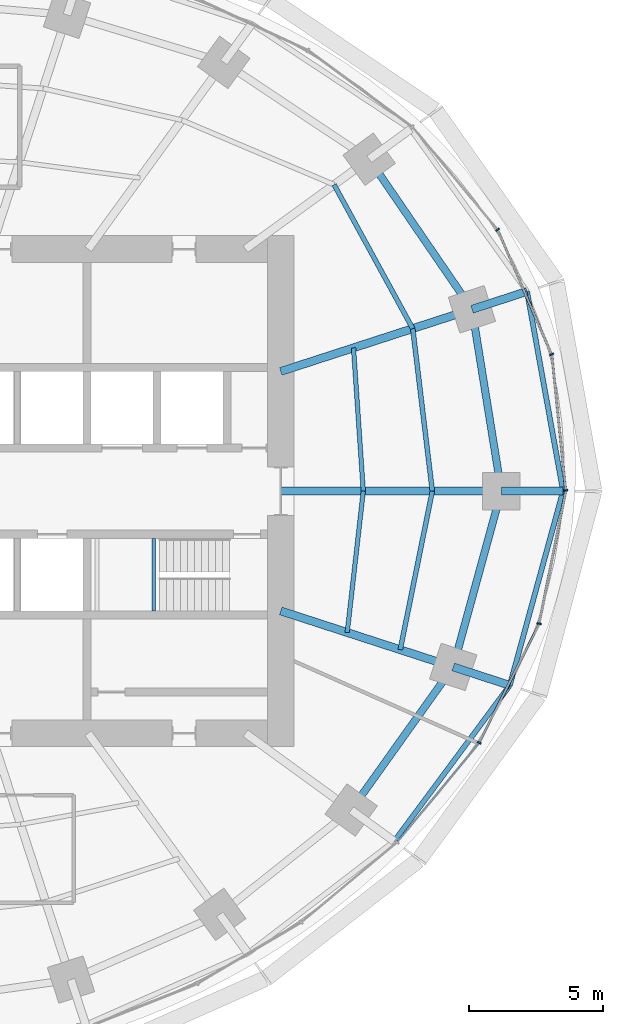
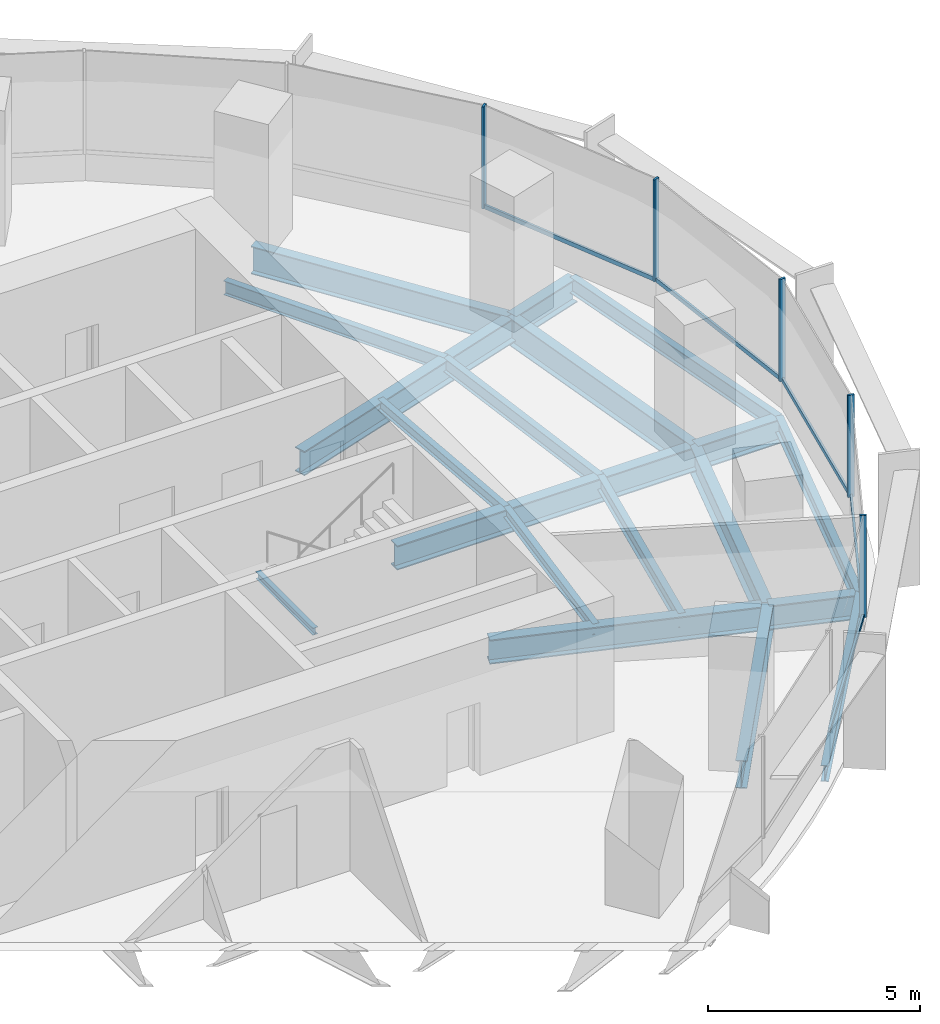
# One storey, part 6 of 14: 19 beams, 10 members, 2 elements without a shape of their own.
"""IFC4 building model written with IfcOpenShell, lengths in metres."""

from ifc_helpers import new_model, si_unit, direction, frame, origin, origin_2d, place, context, subcontext, project, spatial, rectangle, i_section, extrude, material, material_profile, profile_set, type_object, element, aggregate, save


model = new_model("IFC4")

# Units and contexts
model_context = context("Model", 3, precision=1e-05, world=origin(), true_north=direction((0.0, 1.0)))
body_context = subcontext(model_context, "Body", "Model", "MODEL_VIEW")
ifc_project = project(units=[si_unit("LENGTHUNIT", "METRE"), si_unit("AREAUNIT", "SQUARE_METRE"), si_unit("VOLUMEUNIT", "CUBIC_METRE"), si_unit("PLANEANGLEUNIT", "RADIAN"), si_unit("MASSUNIT", "GRAM", prefix="KILO")], contexts=[model_context])

# Site, building, storey
site_placement = place(None, origin())
site = spatial("IfcSite", under=ifc_project, at=site_placement, CompositionType="ELEMENT")
building_placement = place(site_placement, origin())
building = spatial("IfcBuilding", under=site, at=building_placement, Name="Marramba Exchange Tower", CompositionType="ELEMENT")
storey_placement = place(building_placement, frame((0.0, 0.0, 215.0)))
storey = spatial("IfcBuildingStorey", under=building, at=storey_placement, Name="L52", CompositionType="ELEMENT", Elevation=215.0)

# Beams
ifc_material_1 = material(Name="Steel AS/NZS 3679.2 grade 300", Category="steel")
ifc_material_profile_1 = material_profile(ifc_material_1, i_section(OverallWidth=0.300048828125, OverallDepth=0.699951171875, WebThickness=0.010009765625, FlangeThickness=0.031982421875, at=origin_2d()), Name="700WB173")
ifc_profile_set_1 = profile_set([ifc_material_profile_1], Name="Steel AS/NZS 3679.2 grade 300")
beam_type_1 = type_object("IfcBeamType", Name="Cantilever girder 700WB173", PredefinedType="BEAM", material=ifc_profile_set_1)
beam_1_placement = place(storey_placement, frame((21.89990234375, 0.0, -0.510009765625), z_axis=(1.0, 0.0, 0.0), x_axis=(0.0, 1.0, 0.0)))
element("IfcBeam", 1, at=beam_1_placement, inside=storey, type_object=beam_type_1, Name="Cantilever girder L52 TC01", PredefinedType="BEAM", context=body_context, shape_type="SweptSolid", body=[
    extrude(i_section(OverallWidth=0.300048828125, OverallDepth=0.699951171875, WebThickness=0.010009765625, FlangeThickness=0.031982421875, at=origin_2d()), origin(), (0.0, 0.0, 1.0), 2.294189453125),
])
beam_2_placement = place(storey_placement, frame((20.808349609375, 6.760986328125, -0.510009765625), z_axis=(0.951051587859, 0.309032162129, 0.0), x_axis=(-0.309032162129, 0.951051587859, 0.0)))
element("IfcBeam", 2, at=beam_2_placement, inside=storey, type_object=beam_type_1, Name="Cantilever girder L52 TC02", PredefinedType="BEAM", context=body_context, shape_type="SweptSolid", body=[
    extrude(i_section(OverallWidth=0.300048828125, OverallDepth=0.699951171875, WebThickness=0.010009765625, FlangeThickness=0.031982421875, at=origin_2d()), origin(), (0.0, 0.0, 1.0), 2.150390625),
])
beam_3_placement = place(storey_placement, frame((20.109375, -6.533935546875, -0.510009765625), z_axis=(0.951050283347, -0.309036176758, 0.0), x_axis=(0.309036176758, 0.951050283347, 0.0)))
element("IfcBeam", 3, at=beam_3_placement, inside=storey, type_object=beam_type_1, Name="Cantilever girder L52 TC20", PredefinedType="BEAM", context=body_context, shape_type="SweptSolid", body=[
    extrude(i_section(OverallWidth=0.300048828125, OverallDepth=0.699951171875, WebThickness=0.010009765625, FlangeThickness=0.031982421875, at=origin_2d()), origin(), (0.0, 0.0, 1.0), 2.212890625),
])
ifc_material_2 = material(Name="Steel AS/NZS 3679.1 grade 300", Category="steel")
ifc_material_profile_2 = material_profile(ifc_material_2, i_section(OverallWidth=0.166015625, OverallDepth=0.306884765625, WebThickness=0.006591796875, FlangeThickness=0.01171875, FilletRadius=0.011474609375, at=origin_2d()), Name="310UB46.2")
ifc_profile_set_2 = profile_set([ifc_material_profile_2], Name="Steel AS/NZS 3679.1 grade 300")
beam_type_2 = type_object("IfcBeamType", Name="Floor joist 310UB46.2", PredefinedType="JOIST", material=ifc_profile_set_2)
beam_4_placement = place(storey_placement, frame((16.7666015625, 0.0, -0.3134765625), z_axis=(-0.068096259546, 0.99767875563, 0.0), x_axis=(-0.99767875563, -0.068096259546, 0.0)))
element("IfcBeam", 4, at=beam_4_placement, inside=storey, type_object=beam_type_2, Name="Joist L52 bay 01 row 1", PredefinedType="JOIST", context=body_context, shape_type="SweptSolid", body=[
    extrude(i_section(OverallWidth=0.166015625, OverallDepth=0.306884765625, WebThickness=0.006591796875, FlangeThickness=0.01171875, FilletRadius=0.011474609375, at=origin_2d()), origin(), (0.0, 0.0, 1.0), 5.342041015625),
])
beam_5_placement = place(storey_placement, frame((16.169677734375, -5.25390625, -0.3134765625), z_axis=(0.112888968594, 0.993607609054, 0.0), x_axis=(-0.993607609054, 0.112888968594, 0.0)))
element("IfcBeam", 5, at=beam_5_placement, inside=storey, type_object=beam_type_2, Name="Joist L52 bay 20 row 1", PredefinedType="JOIST", context=body_context, shape_type="SweptSolid", body=[
    extrude(i_section(OverallWidth=0.166015625, OverallDepth=0.306884765625, WebThickness=0.006591796875, FlangeThickness=0.01171875, FilletRadius=0.011474609375, at=origin_2d()), origin(), (0.0, 0.0, 1.0), 5.28759765625),
])
ifc_material_profile_3 = material_profile(ifc_material_2, i_section(OverallWidth=0.177978515625, OverallDepth=0.406005859375, WebThickness=0.0078125, FlangeThickness=0.0126953125, FilletRadius=0.011474609375, at=origin_2d()), Name="410UB59.7")
ifc_profile_set_3 = profile_set([ifc_material_profile_3], Name="Steel AS/NZS 3679.1 grade 300")
beam_type_3 = type_object("IfcBeamType", Name="Floor joist 410UB59.7", PredefinedType="JOIST", material=ifc_profile_set_3)
beam_6_placement = place(storey_placement, frame((19.333251953125, 0.0, -0.363037109375), z_axis=(-0.119523078538, 0.992831422597, 0.0), x_axis=(-0.992831422597, -0.119523078538, 0.0)))
element("IfcBeam", 6, at=beam_6_placement, inside=storey, type_object=beam_type_3, Name="Joist L52 bay 01 row 2", PredefinedType="JOIST", context=body_context, shape_type="SweptSolid", body=[
    extrude(i_section(OverallWidth=0.177978515625, OverallDepth=0.406005859375, WebThickness=0.0078125, FlangeThickness=0.0126953125, FilletRadius=0.011474609375, at=origin_2d()), origin(), (0.0, 0.0, 1.0), 6.089111328125),
])
beam_7_placement = place(storey_placement, frame((18.60546875, 6.04541015625, -0.363037109375), z_axis=(-0.479584443791, 0.877495732909, 0.0), x_axis=(-0.877495732909, -0.479584443791, 0.0)))
element("IfcBeam", 7, at=beam_7_placement, inside=storey, type_object=beam_type_3, Name="Joist L52 bay 02 row 2", PredefinedType="JOIST", context=body_context, shape_type="SweptSolid", body=[
    extrude(i_section(OverallWidth=0.177978515625, OverallDepth=0.406005859375, WebThickness=0.0078125, FlangeThickness=0.0126953125, FilletRadius=0.011474609375, at=origin_2d()), origin(), (0.0, 0.0, 1.0), 6.094970703125),
])
beam_8_placement = place(storey_placement, frame((18.1396484375, -5.893798828125, -0.363037109375), z_axis=(0.198489047047, 0.980103105904, 0.0), x_axis=(-0.980103105904, 0.198489047047, 0.0)))
element("IfcBeam", 8, at=beam_8_placement, inside=storey, type_object=beam_type_3, Name="Joist L52 bay 20 row 2", PredefinedType="JOIST", context=body_context, shape_type="SweptSolid", body=[
    extrude(i_section(OverallWidth=0.177978515625, OverallDepth=0.406005859375, WebThickness=0.0078125, FlangeThickness=0.0126953125, FilletRadius=0.011474609375, at=origin_2d()), origin(), (0.0, 0.0, 1.0), 6.013427734375),
])

# Curtain wall, members
ifc_material_3 = material(Name="Aluminium framing, bronze anodised", Category="aluminium")
curtain_wall_type = type_object("IfcCurtainWallType", Name="Office ribbon curtain wall", PredefinedType="USERDEFINED", material=ifc_material_3)
curtain_wall_1_placement = place(storey_placement, origin())
curtain_wall_1 = element("IfcCurtainWall", 9, at=curtain_wall_1_placement, inside=storey, type_object=curtain_wall_type, Name="Curtain wall CW4 L52 F01-F05", ObjectType="RIBBON CURTAIN WALL", PredefinedType="USERDEFINED")
ifc_material_4 = material(Name="Aluminium mullion, bronze anodised", Category="aluminium")
ifc_material_profile_4 = material_profile(ifc_material_4, rectangle(XDim=0.159912109375, YDim=0.06005859375, at=origin_2d()), Name="CW4 mullion 60x160")
ifc_profile_set_4 = profile_set([ifc_material_profile_4], Name="Aluminium mullion, bronze anodised")
member_type_1 = type_object("IfcMemberType", Name="Office ribbon curtain wall mullion", PredefinedType="MULLION", material=ifc_profile_set_4)
member_1_placement = place(storey_placement, frame((24.291015625, 0.02978515625, 0.800048828125), z_axis=(0.0, 0.0, 1.0), x_axis=(-0.994843446001, -0.101422472607, 0.0)))
member_1 = element("IfcMember", 10, at=member_1_placement, type_object=member_type_1, Name="CW4 mullion 1", PredefinedType="MULLION", context=body_context, shape_type="SweptSolid", body=[
    extrude(rectangle(XDim=0.159912109375, YDim=0.06005859375, at=origin_2d()), origin(), (0.0, 0.0, 1.0), 2.93994140625),
])
member_2_placement = place(storey_placement, frame((23.766845703125, 5.081787109375, 0.800048828125), z_axis=(0.0, 0.0, 1.0), x_axis=(-0.918167104527, -0.396193346946, 0.0)))
member_2 = element("IfcMember", 11, at=member_2_placement, type_object=member_type_1, Name="CW4 mullion 1", PredefinedType="MULLION", context=body_context, shape_type="SweptSolid", body=[
    extrude(rectangle(XDim=0.159912109375, YDim=0.06005859375, at=origin_2d()), origin(), (0.0, 0.0, 1.0), 2.93994140625),
])
member_3_placement = place(storey_placement, frame((21.757080078125, 9.718505859375, 0.800048828125), z_axis=(0.0, 0.0, 1.0), x_axis=(-0.770574258342, -0.637350227411, 0.0)))
member_3 = element("IfcMember", 12, at=member_3_placement, type_object=member_type_1, Name="CW4 mullion 1", PredefinedType="MULLION", context=body_context, shape_type="SweptSolid", body=[
    extrude(rectangle(XDim=0.159912109375, YDim=0.06005859375, at=origin_2d()), origin(), (0.0, 0.0, 1.0), 2.93994140625),
])

curtain_wall_2_placement = place(storey_placement, origin())
curtain_wall_2 = element("IfcCurtainWall", 13, at=curtain_wall_2_placement, inside=storey, type_object=curtain_wall_type, Name="Curtain wall CW4 L52 F26-F30", ObjectType="RIBBON CURTAIN WALL", PredefinedType="USERDEFINED")
member_4_placement = place(storey_placement, frame((21.07568359375, -9.3505859375, 0.800048828125), z_axis=(0.0, 0.0, 1.0), x_axis=(-0.892689067591, 0.450673083956, 0.0)))
member_4 = element("IfcMember", 14, at=member_4_placement, type_object=member_type_1, Name="CW4 mullion 1", PredefinedType="MULLION", context=body_context, shape_type="SweptSolid", body=[
    extrude(rectangle(XDim=0.159912109375, YDim=0.06005859375, at=origin_2d()), origin(), (0.0, 0.0, 1.0), 2.93994140625),
])
member_5_placement = place(storey_placement, frame((23.30224609375, -4.92236328125, 0.800048828125), z_axis=(0.0, 0.0, 1.0), x_axis=(-0.980303812539, 0.197495405316, 0.0)))
member_5 = element("IfcMember", 15, at=member_5_placement, type_object=member_type_1, Name="CW4 mullion 1", PredefinedType="MULLION", context=body_context, shape_type="SweptSolid", body=[
    extrude(rectangle(XDim=0.159912109375, YDim=0.06005859375, at=origin_2d()), origin(), (0.0, 0.0, 1.0), 2.93994140625),
])

# Member
ifc_material_5 = material(Name="Aluminium transom, bronze anodised", Category="aluminium")
ifc_material_profile_5 = material_profile(ifc_material_5, rectangle(XDim=0.06005859375, YDim=0.1201171875, at=origin_2d()), Name="CW4 transom 60x120")
ifc_profile_set_5 = profile_set([ifc_material_profile_5], Name="Aluminium transom, bronze anodised")
member_type_2 = type_object("IfcMemberType", Name="Office ribbon curtain wall transom", PredefinedType="USERDEFINED", material=ifc_profile_set_5)
member_6_placement = place(storey_placement, frame((24.287841796875, 0.0595703125, 0.830078125), z_axis=(-0.101386007846, 0.994847162841, 0.0), x_axis=(-0.994847162841, -0.101386007846, 0.0)))
member_6 = element("IfcMember", 16, at=member_6_placement, type_object=member_type_2, Name="CW4 sill transom", ObjectType="TRANSOM", PredefinedType="USERDEFINED", context=body_context, shape_type="SweptSolid", body=[
    extrude(rectangle(XDim=0.06005859375, YDim=0.1201171875, at=origin_2d()), origin(), (0.0, 0.0, 1.0), 5.020751953125),
])

member_7_placement = place(storey_placement, frame((23.7548828125, 5.109375, 0.830078125), z_axis=(-0.396177573744, 0.918173910576, 0.0), x_axis=(-0.918173910576, -0.396177573744, 0.0)))
member_7 = element("IfcMember", 17, at=member_7_placement, type_object=member_type_2, Name="CW4 sill transom", ObjectType="TRANSOM", PredefinedType="USERDEFINED", context=body_context, shape_type="SweptSolid", body=[
    extrude(rectangle(XDim=0.06005859375, YDim=0.1201171875, at=origin_2d()), origin(), (0.0, 0.0, 1.0), 4.99462890625),
])

aggregate(curtain_wall_1, [member_1, member_6, member_2, member_7, member_3])

member_8_placement = place(storey_placement, frame((18.03515625, -13.029296875, 0.830078125), z_axis=(0.638146908901, 0.76991462037, 0.0), x_axis=(-0.76991462037, 0.638146908901, 0.0)))
member_8 = element("IfcMember", 18, at=member_8_placement, type_object=member_type_2, Name="CW4 sill transom", ObjectType="TRANSOM", PredefinedType="USERDEFINED", context=body_context, shape_type="SweptSolid", body=[
    extrude(rectangle(XDim=0.06005859375, YDim=0.1201171875, at=origin_2d()), origin(), (0.0, 0.0, 1.0), 4.7431640625),
])

member_9_placement = place(storey_placement, frame((21.089111328125, -9.323974609375, 0.830078125), z_axis=(0.450679681949, 0.892685736572, 0.0), x_axis=(-0.892685736572, 0.450679681949, 0.0)))
member_9 = element("IfcMember", 19, at=member_9_placement, type_object=member_type_2, Name="CW4 sill transom", ObjectType="TRANSOM", PredefinedType="USERDEFINED", context=body_context, shape_type="SweptSolid", body=[
    extrude(rectangle(XDim=0.06005859375, YDim=0.1201171875, at=origin_2d()), origin(), (0.0, 0.0, 1.0), 4.897705078125),
])

member_10_placement = place(storey_placement, frame((23.308349609375, -4.89306640625, 0.830078125), z_axis=(0.197461053167, 0.980310732616, 0.0), x_axis=(-0.980310732616, 0.197461053167, 0.0)))
member_10 = element("IfcMember", 20, at=member_10_placement, type_object=member_type_2, Name="CW4 sill transom", ObjectType="TRANSOM", PredefinedType="USERDEFINED", context=body_context, shape_type="SweptSolid", body=[
    extrude(rectangle(XDim=0.06005859375, YDim=0.1201171875, at=origin_2d()), origin(), (0.0, 0.0, 1.0), 4.991455078125),
])

aggregate(curtain_wall_2, [member_8, member_4, member_9, member_5, member_10])

# Beams
ifc_material_profile_6 = material_profile(ifc_material_1, i_section(OverallWidth=0.300048828125, OverallDepth=0.699951171875, WebThickness=0.010009765625, FlangeThickness=0.031982421875, at=origin_2d()), Name="700WB173")
ifc_profile_set_6 = profile_set([ifc_material_profile_6], Name="Steel AS/NZS 3679.2 grade 300")
beam_type_4 = type_object("IfcBeamType", Name="Radial girder 700WB173", PredefinedType="BEAM", material=ifc_profile_set_6)
beam_9_placement = place(storey_placement, frame((13.699951171875, 0.0, -0.510009765625), z_axis=(1.0, 0.0, 0.0), x_axis=(0.0, 1.0, 0.0)))
element("IfcBeam", 21, at=beam_9_placement, inside=storey, type_object=beam_type_4, Name="Radial girder L52 TC01", PredefinedType="BEAM", context=body_context, shape_type="SweptSolid", body=[
    extrude(i_section(OverallWidth=0.300048828125, OverallDepth=0.699951171875, WebThickness=0.010009765625, FlangeThickness=0.031982421875, at=origin_2d()), origin(), (0.0, 0.0, 1.0), 8.199951171875),
])
beam_10_placement = place(storey_placement, frame((13.699951171875, 4.451416015625, -0.510009765625), z_axis=(0.951059990189, 0.309006302624, 0.0), x_axis=(-0.309006302624, 0.951059990189, 0.0)))
element("IfcBeam", 22, at=beam_10_placement, inside=storey, type_object=beam_type_4, Name="Radial girder L52 TC02", PredefinedType="BEAM", context=body_context, shape_type="SweptSolid", body=[
    extrude(i_section(OverallWidth=0.300048828125, OverallDepth=0.699951171875, WebThickness=0.010009765625, FlangeThickness=0.031982421875, at=origin_2d()), origin(), (0.0, 0.0, 1.0), 7.47412109375),
])
beam_11_placement = place(storey_placement, frame((13.699951171875, -4.451416015625, -0.510009765625), z_axis=(0.951057759669, -0.309013167637, 0.0), x_axis=(0.309013167637, 0.951057759669, 0.0)))
element("IfcBeam", 23, at=beam_11_placement, inside=storey, type_object=beam_type_4, Name="Radial girder L52 TC20", PredefinedType="BEAM", context=body_context, shape_type="SweptSolid", body=[
    extrude(i_section(OverallWidth=0.300048828125, OverallDepth=0.699951171875, WebThickness=0.010009765625, FlangeThickness=0.031982421875, at=origin_2d()), origin(), (0.0, 0.0, 1.0), 6.7392578125),
])
ifc_material_profile_7 = material_profile(ifc_material_1, i_section(OverallWidth=0.27490234375, OverallDepth=0.800048828125, WebThickness=0.010009765625, FlangeThickness=0.02490234375, at=origin_2d()), Name="800WB168")
ifc_profile_set_7 = profile_set([ifc_material_profile_7], Name="Steel AS/NZS 3679.2 grade 300")
beam_type_5 = type_object("IfcBeamType", Name="Ring beam 800WB168", PredefinedType="SPANDREL", material=ifc_profile_set_7)
beam_12_placement = place(storey_placement, frame((21.89990234375, 0.0, -0.56005859375), z_axis=(-0.159384865399, 0.987216523708, 0.0), x_axis=(-0.987216523708, -0.159384865399, 0.0)))
element("IfcBeam", 24, at=beam_12_placement, inside=storey, type_object=beam_type_5, Name="Ring beam L52 TC01-TC02", PredefinedType="SPANDREL", context=body_context, shape_type="SweptSolid", body=[
    extrude(i_section(OverallWidth=0.27490234375, OverallDepth=0.800048828125, WebThickness=0.010009765625, FlangeThickness=0.02490234375, at=origin_2d()), origin(), (0.0, 0.0, 1.0), 6.8486328125),
])
beam_13_placement = place(storey_placement, frame((20.808349609375, 6.760986328125, -0.56005859375), z_axis=(-0.56516002054, 0.824981303535, 0.0), x_axis=(-0.824981303535, -0.56516002054, 0.0)))
element("IfcBeam", 25, at=beam_13_placement, inside=storey, type_object=beam_type_5, Name="Ring beam L52 TC02-TC03", PredefinedType="SPANDREL", context=body_context, shape_type="SweptSolid", body=[
    extrude(i_section(OverallWidth=0.27490234375, OverallDepth=0.800048828125, WebThickness=0.010009765625, FlangeThickness=0.02490234375, at=origin_2d()), origin(), (0.0, 0.0, 1.0), 6.763671875),
])
beam_14_placement = place(storey_placement, frame((16.3154296875, -11.853759765625, -0.56005859375), z_axis=(0.580637181111, 0.814162430914, 0.0), x_axis=(-0.814162430914, 0.580637181111, 0.0)))
element("IfcBeam", 26, at=beam_14_placement, inside=storey, type_object=beam_type_5, Name="Ring beam L52 TC19-TC20", PredefinedType="SPANDREL", context=body_context, shape_type="SweptSolid", body=[
    extrude(i_section(OverallWidth=0.27490234375, OverallDepth=0.800048828125, WebThickness=0.010009765625, FlangeThickness=0.02490234375, at=origin_2d()), origin(), (0.0, 0.0, 1.0), 6.5341796875),
])
beam_15_placement = place(storey_placement, frame((20.109375, -6.533935546875, -0.56005859375), z_axis=(0.264291166956, 0.964442937176, 0.0), x_axis=(-0.964442937176, 0.264291166956, 0.0)))
element("IfcBeam", 27, at=beam_15_placement, inside=storey, type_object=beam_type_5, Name="Ring beam L52 TC20-TC01", PredefinedType="SPANDREL", context=body_context, shape_type="SweptSolid", body=[
    extrude(i_section(OverallWidth=0.27490234375, OverallDepth=0.800048828125, WebThickness=0.010009765625, FlangeThickness=0.02490234375, at=origin_2d()), origin(), (0.0, 0.0, 1.0), 6.77490234375),
])
ifc_material_profile_8 = material_profile(ifc_material_2, i_section(OverallWidth=0.19091796875, OverallDepth=0.4599609375, WebThickness=0.010009765625, FlangeThickness=0.01611328125, FilletRadius=0.011474609375, at=origin_2d()), Name="460UB82.1")
ifc_profile_set_8 = profile_set([ifc_material_profile_8], Name="Steel AS/NZS 3679.1 grade 300")
beam_type_6 = type_object("IfcBeamType", Name="Slab edge beam 460UB82.1", PredefinedType="SPANDREL", material=ifc_profile_set_8)
beam_16_placement = place(storey_placement, frame((24.194091796875, 0.0, -0.389892578125), z_axis=(-0.177663817107, 0.984091239719, 0.0), x_axis=(-0.984091239719, -0.177663817107, 0.0)))
element("IfcBeam", 28, at=beam_16_placement, inside=storey, type_object=beam_type_6, Name="Slab edge beam L52 TC01-TC02", PredefinedType="SPANDREL", context=body_context, shape_type="SweptSolid", body=[
    extrude(i_section(OverallWidth=0.19091796875, OverallDepth=0.4599609375, WebThickness=0.010009765625, FlangeThickness=0.01611328125, FilletRadius=0.011474609375, at=origin_2d()), origin(), (0.0, 0.0, 1.0), 7.545654296875),
])
beam_17_placement = place(storey_placement, frame((17.916015625, -13.016845703125, -0.389892578125), z_axis=(0.595428136035, 0.803408572781, 0.0), x_axis=(-0.803408572781, 0.595428136035, 0.0)))
element("IfcBeam", 29, at=beam_17_placement, inside=storey, type_object=beam_type_6, Name="Slab edge beam L52 TC19-TC20", PredefinedType="SPANDREL", context=body_context, shape_type="SweptSolid", body=[
    extrude(i_section(OverallWidth=0.19091796875, OverallDepth=0.4599609375, WebThickness=0.010009765625, FlangeThickness=0.01611328125, FilletRadius=0.011474609375, at=origin_2d()), origin(), (0.0, 0.0, 1.0), 7.218017578125),
])
beam_18_placement = place(storey_placement, frame((22.2138671875, -7.2177734375, -0.389892578125), z_axis=(0.264577205901, 0.964364506874, 0.0), x_axis=(-0.964364506874, 0.264577205901, 0.0)))
element("IfcBeam", 30, at=beam_18_placement, inside=storey, type_object=beam_type_6, Name="Slab edge beam L52 TC20-TC01", PredefinedType="SPANDREL", context=body_context, shape_type="SweptSolid", body=[
    extrude(i_section(OverallWidth=0.19091796875, OverallDepth=0.4599609375, WebThickness=0.010009765625, FlangeThickness=0.01611328125, FilletRadius=0.011474609375, at=origin_2d()), origin(), (0.0, 0.0, 1.0), 7.484375),
])
ifc_material_profile_9 = material_profile(ifc_material_2, i_section(OverallWidth=0.133056640625, OverallDepth=0.202880859375, WebThickness=0.005859375, FlangeThickness=0.0078125, FilletRadius=0.0087890625, at=origin_2d()), Name="200UB25.4")
ifc_profile_set_9 = profile_set([ifc_material_profile_9], Name="Steel AS/NZS 3679.1 grade 300")
beam_type_7 = type_object("IfcBeamType", Name="Stair landing beam 200UB25.4", PredefinedType="BEAM", material=ifc_profile_set_9)
beam_19_placement = place(storey_placement, frame((8.9833984375, -4.449951171875, 1.6484375), z_axis=(0.0, 1.0, 0.0), x_axis=(-1.0, 0.0, 0.0)))
element("IfcBeam", 31, at=beam_19_placement, inside=storey, type_object=beam_type_7, Name="Stair landing beam SLB1 ST2 L52 2", PredefinedType="BEAM", context=body_context, shape_type="SweptSolid", body=[
    extrude(i_section(OverallWidth=0.133056640625, OverallDepth=0.202880859375, WebThickness=0.005859375, FlangeThickness=0.0078125, FilletRadius=0.0087890625, at=origin_2d()), origin(), (0.0, 0.0, 1.0), 2.699951171875),
])

save(model, "model.ifc")
